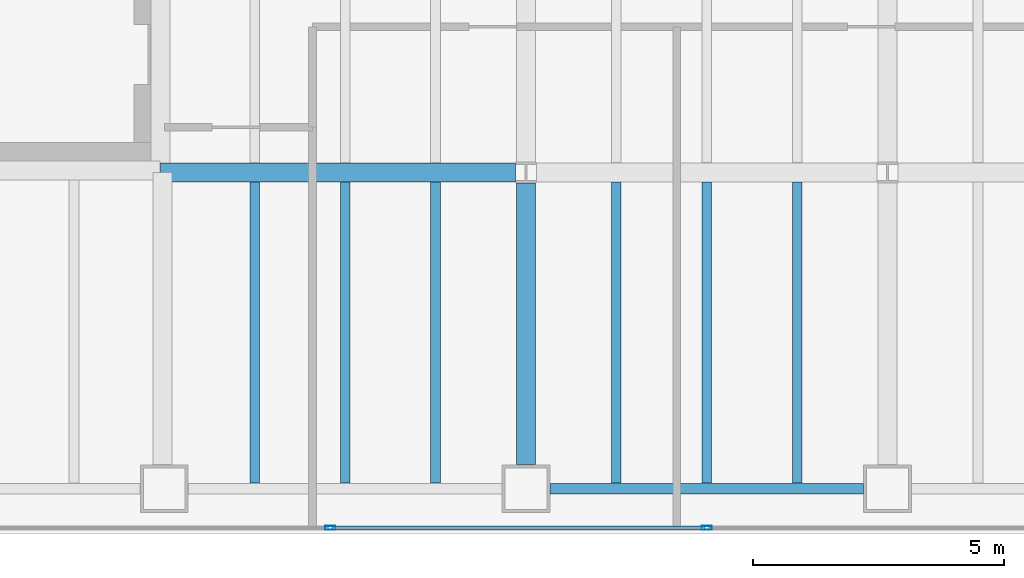
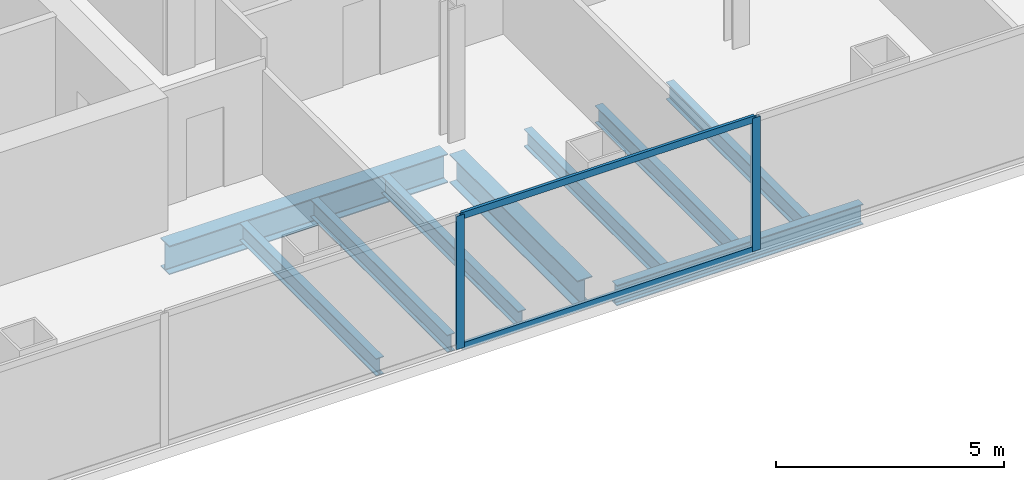
# One storey, part 4 of 23: 9 beams, 4 members, 1 element without a shape of its own.
"""IFC4 building model written with IfcOpenShell, lengths in metres."""

from ifc_helpers import new_model, si_unit, direction, frame, origin, origin_2d, place, context, subcontext, project, spatial, hollow_rectangle, i_section, extrude, material, material_profile, profile_set, type_object, element, aggregate, save


model = new_model("IFC4")

# Units and contexts
model_context = context("Model", 3, precision=1e-05, world=origin(), true_north=direction((0.0, 1.0)))
body_context = subcontext(model_context, "Body", "Model", "MODEL_VIEW")
ifc_project = project(units=[si_unit("LENGTHUNIT", "METRE"), si_unit("AREAUNIT", "SQUARE_METRE"), si_unit("VOLUMEUNIT", "CUBIC_METRE"), si_unit("PLANEANGLEUNIT", "RADIAN"), si_unit("MASSUNIT", "GRAM", prefix="KILO")], contexts=[model_context])

# Site, building, storey
site_placement = place(None, origin())
site = spatial("IfcSite", under=ifc_project, at=site_placement, CompositionType="ELEMENT")
building_placement = place(site_placement, origin())
building = spatial("IfcBuilding", under=site, at=building_placement, Name="Cobrela Telecom Tower", CompositionType="ELEMENT")
storey_placement = place(building_placement, frame((0.0, 0.0, 88.89990234375)))
storey = spatial("IfcBuildingStorey", under=building, at=storey_placement, Name="L22", CompositionType="ELEMENT", Elevation=88.89990234375)

# Beams
ifc_material_1 = material(Name="Steel ASTM A992 Grade 50", Category="steel")
ifc_material_profile_1 = material_profile(ifc_material_1, i_section(OverallWidth=0.381103515625, OverallDepth=0.77197265625, WebThickness=0.0166015625, FlangeThickness=0.027099609375, FilletRadius=0.01904296875, at=origin_2d()), Name="W30X173")
ifc_profile_set_1 = profile_set([ifc_material_profile_1], Name="Steel ASTM A992 Grade 50")
beam_type_1 = type_object("IfcBeamType", Name="BM-GIRD-04", PredefinedType="USERDEFINED", material=ifc_profile_set_1)
beam_1_placement = place(storey_placement, frame((14.324951171875, 7.199951171875, -0.666015625), z_axis=(1.0, 0.0, 0.0), x_axis=(0.0, 1.0, 0.0)))
element("IfcBeam", 1, at=beam_1_placement, inside=storey, type_object=beam_type_1, Name="L22 Primary Girder X08", ObjectType="GIRDER", PredefinedType="USERDEFINED", context=body_context, shape_type="SweptSolid", body=[
    extrude(i_section(OverallWidth=0.381103515625, OverallDepth=0.77197265625, WebThickness=0.0166015625, FlangeThickness=0.027099609375, FilletRadius=0.01904296875, at=origin_2d()), origin(), (0.0, 0.0, 1.0), 7.0654296875),
])
beam_2_placement = place(storey_placement, frame((21.60009765625, 1.3798828125, -0.666015625), z_axis=(0.0, 1.0, 0.0), x_axis=(-1.0, 0.0, 0.0)))
element("IfcBeam", 2, at=beam_2_placement, inside=storey, type_object=beam_type_1, Name="L22 Primary Girder Y40", ObjectType="GIRDER", PredefinedType="USERDEFINED", context=body_context, shape_type="SweptSolid", body=[
    extrude(i_section(OverallWidth=0.381103515625, OverallDepth=0.77197265625, WebThickness=0.0166015625, FlangeThickness=0.027099609375, FilletRadius=0.01904296875, at=origin_2d()), origin(), (0.0, 0.0, 1.0), 5.610595703125),
])
ifc_material_profile_2 = material_profile(ifc_material_1, i_section(OverallWidth=0.193115234375, OverallDepth=0.467041015625, WebThickness=0.011474609375, FlangeThickness=0.01904296875, FilletRadius=0.012939453125, at=origin_2d()), Name="W18X65")
ifc_profile_set_2 = profile_set([ifc_material_profile_2], Name="Steel ASTM A992 Grade 50")
beam_type_2 = type_object("IfcBeamType", Name="BM-JOIST-03", PredefinedType="JOIST", material=ifc_profile_set_2)
for number, where, z_axis, x_axis, name in (
    (3, (16.199951171875, 1.011474609375, -0.513427734375), (0.0, 1.0, 0.0), (-1.0, 0.0, 0.0), "L22 Secondary Composite Floor Beam J07"),
    (4, (18.0, 1.011474609375, -0.513427734375), (0.0, 1.0, 0.0), (-1.0, 0.0, 0.0), "L22 Secondary Composite Floor Beam J13"),
    (5, (19.800048828125, 1.011474609375, -0.513427734375), (0.0, 1.0, 0.0), (-1.0, 0.0, 0.0), "L22 Secondary Composite Floor Beam J19"),
    (6, (23.39990234375, 1.011474609375, -0.513427734375), (0.0, 1.0, 0.0), (-1.0, 0.0, 0.0), "L22 Secondary Composite Floor Beam J25"),
    (7, (25.199951171875, 1.011474609375, -0.513427734375), (0.0, 1.0, 0.0), (-1.0, 0.0, 0.0), "L22 Secondary Composite Floor Beam J31"),
    (8, (27.0, 1.011474609375, -0.513427734375), (0.0, 1.0, 0.0), (-1.0, 0.0, 0.0), "L22 Secondary Composite Floor Beam J36"),
):
    element("IfcBeam", number, at=place(storey_placement, frame(where, z_axis=z_axis, x_axis=x_axis)), inside=storey, type_object=beam_type_2, Name=name, PredefinedType="JOIST", context=body_context, shape_type="SweptSolid", body=[
        extrude(i_section(OverallWidth=0.193115234375, OverallDepth=0.467041015625, WebThickness=0.011474609375, FlangeThickness=0.01904296875, FilletRadius=0.012939453125, at=origin_2d()), origin(), (0.0, 0.0, 1.0), 5.992919921875),
    ])
ifc_material_profile_3 = material_profile(ifc_material_1, i_section(OverallWidth=0.212890625, OverallDepth=0.549072265625, WebThickness=0.0146484375, FlangeThickness=0.023681640625, FilletRadius=0.013916015625, at=origin_2d()), Name="W21X93")
ifc_profile_set_3 = profile_set([ifc_material_profile_3], Name="Steel ASTM A992 Grade 50")
beam_type_3 = type_object("IfcBeamType", Name="BM-SPAND-03", PredefinedType="SPANDREL", material=ifc_profile_set_3)
beam_3_placement = place(storey_placement, frame((22.080078125, 0.89990234375, -0.554443359375), z_axis=(1.0, 0.0, 0.0), x_axis=(0.0, 1.0, 0.0)))
element("IfcBeam", 9, at=beam_3_placement, inside=storey, type_object=beam_type_3, Name="L22 Perimeter Spandrel X03", PredefinedType="SPANDREL", context=body_context, shape_type="SweptSolid", body=[
    extrude(i_section(OverallWidth=0.212890625, OverallDepth=0.549072265625, WebThickness=0.0146484375, FlangeThickness=0.023681640625, FilletRadius=0.013916015625, at=origin_2d()), origin(), (0.0, 0.0, 1.0), 6.239990234375),
])

# Curtain wall, members
ifc_material_2 = material(Name="Anodized Bronze Aluminium 6063-T6", Category="aluminium")
curtain_wall_type = type_object("IfcCurtainWallType", Name="CW-SYS-DATA", PredefinedType="USERDEFINED", material=ifc_material_2)
curtain_wall_placement = place(storey_placement, origin())
curtain_wall = element("IfcCurtainWall", 10, at=curtain_wall_placement, inside=storey, type_object=curtain_wall_type, Name="L22 Unitised Bronze Curtain Wall 17", ObjectType="UNITISED CURTAIN WALL", PredefinedType="USERDEFINED")
ifc_material_profile_4 = material_profile(ifc_material_2, hollow_rectangle(XDim=0.080078125, YDim=0.199951171875, WallThickness=0.00390625, at=origin_2d()), Name="ALU 80x200x4")
ifc_profile_set_4 = profile_set([ifc_material_profile_4], Name="Anodized Bronze Aluminium 6063-T6")
member_type_1 = type_object("IfcMemberType", Name="CW-SYS-DATA-MUL", PredefinedType="MULLION", material=ifc_profile_set_4)
member_1_placement = place(storey_placement, frame((25.199951171875, 0.1201171875, 0.0), z_axis=(0.0, 0.0, 1.0), x_axis=(0.0, -1.0, 0.0)))
member_1 = element("IfcMember", 11, at=member_1_placement, type_object=member_type_1, Name="CW-DATA mullion 4", PredefinedType="MULLION", context=body_context, shape_type="SweptSolid", body=[
    extrude(hollow_rectangle(XDim=0.080078125, YDim=0.199951171875, WallThickness=0.00390625, at=origin_2d()), origin(), (0.0, 0.0, 1.0), 3.570068359375),
])
member_2_placement = place(storey_placement, frame((17.703369140625, 0.1201171875, 0.0), z_axis=(0.0, 0.0, 1.0), x_axis=(0.0, -1.0, 0.0)))
member_2 = element("IfcMember", 12, at=member_2_placement, type_object=member_type_1, Name="CW-DATA mullion 5", PredefinedType="MULLION", context=body_context, shape_type="SweptSolid", body=[
    extrude(hollow_rectangle(XDim=0.080078125, YDim=0.199951171875, WallThickness=0.00390625, at=origin_2d()), origin(), (0.0, 0.0, 1.0), 3.570068359375),
])
ifc_material_profile_5 = material_profile(ifc_material_2, hollow_rectangle(XDim=0.074951171875, YDim=0.179931640625, WallThickness=0.00390625, at=origin_2d()), Name="ALU 75x180x4")
ifc_profile_set_5 = profile_set([ifc_material_profile_5], Name="Anodized Bronze Aluminium 6063-T6")
member_type_2 = type_object("IfcMemberType", Name="CW-SYS-DATA-TRN", PredefinedType="USERDEFINED", material=ifc_profile_set_5)
member_3_placement = place(storey_placement, frame((25.159912109375, 0.1201171875, 0.03759765625), z_axis=(-1.0, 0.0, 0.0), x_axis=(0.0, -1.0, 0.0)))
member_3 = element("IfcMember", 13, at=member_3_placement, type_object=member_type_2, Name="CW-DATA transom 4.1", ObjectType="TRANSOM", PredefinedType="USERDEFINED", context=body_context, shape_type="SweptSolid", body=[
    extrude(hollow_rectangle(XDim=0.074951171875, YDim=0.179931640625, WallThickness=0.00390625, at=origin_2d()), origin(), (0.0, 0.0, 1.0), 7.41650390625),
])
member_4_placement = place(storey_placement, frame((25.159912109375, 0.1201171875, 3.53271484375), z_axis=(-1.0, 0.0, 0.0), x_axis=(0.0, -1.0, 0.0)))
member_4 = element("IfcMember", 14, at=member_4_placement, type_object=member_type_2, Name="CW-DATA transom 4.2", ObjectType="TRANSOM", PredefinedType="USERDEFINED", context=body_context, shape_type="SweptSolid", body=[
    extrude(hollow_rectangle(XDim=0.074951171875, YDim=0.179931640625, WallThickness=0.00390625, at=origin_2d()), origin(), (0.0, 0.0, 1.0), 7.41650390625),
])
aggregate(curtain_wall, [member_1, member_2, member_3, member_4])

save(model, "model.ifc")
